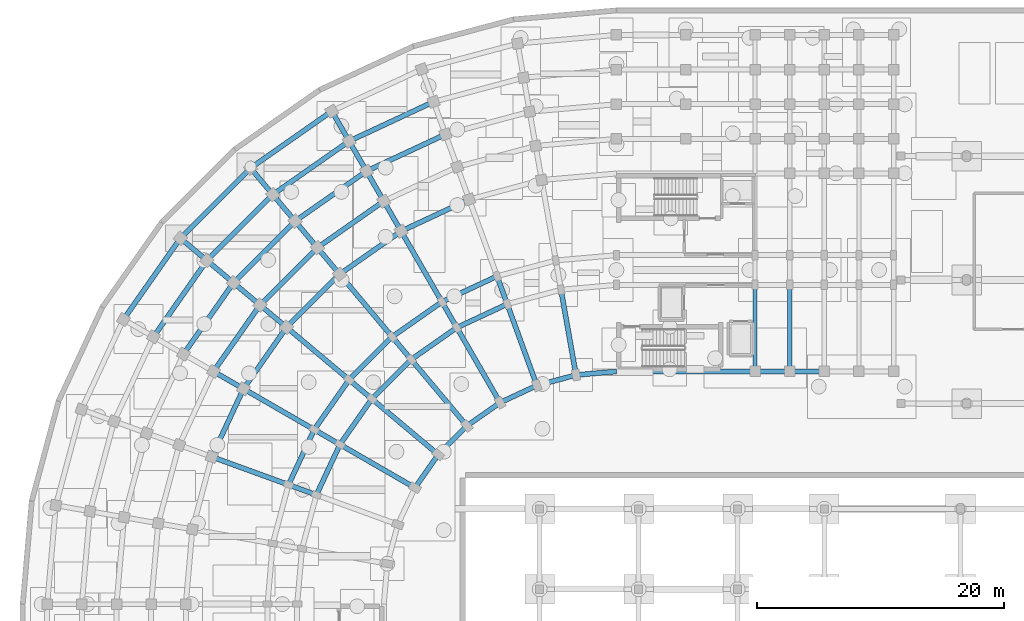
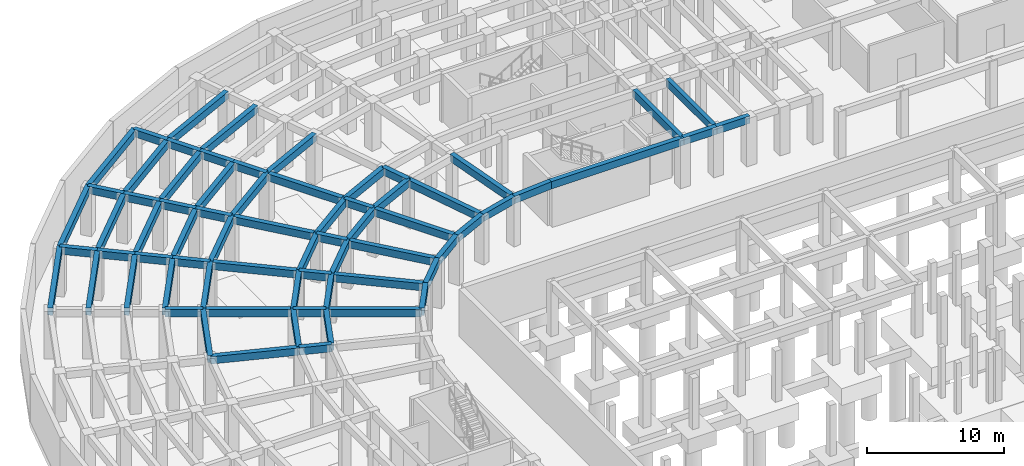
# One storey, part 23 of 53: 70 beams.
"""IFC4 building model written with IfcOpenShell, lengths in metres."""

from ifc_helpers import new_model, si_unit, direction, frame, origin, origin_2d, place, context, subcontext, project, spatial, rectangle, extrude, material, material_profile, profile_set, type_object, element, save


model = new_model("IFC4")

# Units and contexts
model_context = context("Model", 3, precision=1e-05, world=origin(), true_north=direction((0.0, 1.0)))
body_context = subcontext(model_context, "Body", "Model", "MODEL_VIEW")
ifc_project = project(units=[si_unit("LENGTHUNIT", "METRE"), si_unit("AREAUNIT", "SQUARE_METRE"), si_unit("VOLUMEUNIT", "CUBIC_METRE"), si_unit("PLANEANGLEUNIT", "RADIAN"), si_unit("MASSUNIT", "GRAM", prefix="KILO")], contexts=[model_context])

# Site, building, storey
site_placement = place(None, origin())
site = spatial("IfcSite", under=ifc_project, at=site_placement, CompositionType="ELEMENT")
building_placement = place(site_placement, origin())
building = spatial("IfcBuilding", under=site, at=building_placement, Name="Kiranvali Square Residences", CompositionType="ELEMENT")
storey_placement = place(building_placement, frame((0.0, 0.0, -4.5)))
storey = spatial("IfcBuildingStorey", under=building, at=storey_placement, Name="B1", CompositionType="ELEMENT", Elevation=-4.5)

# Beams
ifc_material_1 = material(Name="Concrete M40 (40 MPa)", Category="concrete")
ifc_material_profile_1 = material_profile(ifc_material_1, rectangle(XDim=0.35009765625, YDim=0.64990234375, at=origin_2d()), Name="RC 350x650")
ifc_profile_set_1 = profile_set([ifc_material_profile_1], Name="Concrete M40 (40 MPa)")
beam_type_1 = type_object("IfcBeamType", Name="BM-M40-350x650", PredefinedType="BEAM", material=ifc_profile_set_1)
for number, where, z_axis, x_axis, name in (
    (1, (59.39990234375, 106.60009765625, 3.955078125), (0.0, 1.0, 0.0), (-1.0, 0.0, 0.0), "B1 beam BM-A-B1-A1T1-01"),
    (2, (62.199951171875, 106.60009765625, 3.955078125), (0.0, 1.0, 0.0), (-1.0, 0.0, 0.0), "B1 beam BM-A-B1-A1T2-01"),
):
    element("IfcBeam", number, at=place(storey_placement, frame(where, z_axis=z_axis, x_axis=x_axis)), inside=storey, type_object=beam_type_1, Name=name, PredefinedType="BEAM", context=body_context, shape_type="SweptSolid", body=[
        extrude(rectangle(XDim=0.35009765625, YDim=0.64990234375, at=origin_2d()), origin(), (0.0, 0.0, 1.0), 7.0),
    ])
ifc_material_2 = material(Name="Concrete M45 (45 MPa)", Category="concrete")
ifc_material_profile_2 = material_profile(ifc_material_2, rectangle(XDim=0.39990234375, YDim=0.64990234375, at=origin_2d()), Name="RC 400x650")
ifc_profile_set_2 = profile_set([ifc_material_profile_2], Name="Concrete M45 (45 MPa)")
beam_type_2 = type_object("IfcBeamType", Name="BM-M45-400x650", PredefinedType="BEAM", material=ifc_profile_set_2)
beam_1_placement = place(storey_placement, frame((48.199951171875, 106.60009765625, 3.955078125), z_axis=(-0.996194040944, -0.087163253657, 0.0), x_axis=(0.087163253657, -0.996194040944, 0.0)))
element("IfcBeam", 3, at=beam_1_placement, inside=storey, type_object=beam_type_2, Name="B1 beam BM-A-B1-C00-R0", PredefinedType="BEAM", context=body_context, shape_type="SweptSolid", body=[
    extrude(rectangle(XDim=0.39990234375, YDim=0.64990234375, at=origin_2d()), origin(), (0.0, 0.0, 1.0), 3.277099609375),
])
beam_2_placement = place(storey_placement, frame((44.935302734375, 106.314453125, 3.955078125), z_axis=(-0.965925105099, -0.258821736607, 0.0), x_axis=(0.258821736607, -0.965925105099, 0.0)))
element("IfcBeam", 4, at=beam_2_placement, inside=storey, type_object=beam_type_2, Name="B1 beam BM-A-B1-C01-R0", PredefinedType="BEAM", context=body_context, shape_type="SweptSolid", body=[
    extrude(rectangle(XDim=0.39990234375, YDim=0.64990234375, at=origin_2d()), origin(), (0.0, 0.0, 1.0), 3.27685546875),
])
beam_3_placement = place(storey_placement, frame((41.77001953125, 105.46630859375, 3.955078125), z_axis=(-0.90629730464, -0.422640740585, 0.0), x_axis=(0.422640740585, -0.90629730464, 0.0)))
element("IfcBeam", 5, at=beam_3_placement, inside=storey, type_object=beam_type_2, Name="B1 beam BM-A-B1-C02-R0", PredefinedType="BEAM", context=body_context, shape_type="SweptSolid", body=[
    extrude(rectangle(XDim=0.39990234375, YDim=0.64990234375, at=origin_2d()), origin(), (0.0, 0.0, 1.0), 3.277099609375),
])
beam_4_placement = place(storey_placement, frame((39.3759765625, 112.044189453125, 3.955078125), z_axis=(-0.906307919131, -0.422617978463, 0.0), x_axis=(0.422617978463, -0.906307919131, 0.0)))
element("IfcBeam", 6, at=beam_4_placement, inside=storey, type_object=beam_type_2, Name="B1 beam BM-A-B1-C02-R1", PredefinedType="BEAM", context=body_context, shape_type="SweptSolid", body=[
    extrude(rectangle(XDim=0.39990234375, YDim=0.64990234375, at=origin_2d()), origin(), (0.0, 0.0, 1.0), 4.497314453125),
])
beam_5_placement = place(storey_placement, frame((38.554931640625, 114.29931640625, 3.955078125), z_axis=(-0.906302381024, -0.422629854778, 0.0), x_axis=(0.422629854778, -0.906302381024, 0.0)))
element("IfcBeam", 7, at=beam_5_placement, inside=storey, type_object=beam_type_2, Name="B1 beam BM-A-B1-C02-R2", PredefinedType="BEAM", context=body_context, shape_type="SweptSolid", body=[
    extrude(rectangle(XDim=0.39990234375, YDim=0.64990234375, at=origin_2d()), origin(), (0.0, 0.0, 1.0), 4.915283203125),
])
beam_6_placement = place(storey_placement, frame((36.297607421875, 120.501220703125, 3.955078125), z_axis=(-0.906312656069, -0.42260781991, 0.0), x_axis=(0.42260781991, -0.906312656069, 0.0)))
element("IfcBeam", 8, at=beam_6_placement, inside=storey, type_object=beam_type_2, Name="B1 beam BM-A-B1-C02-R3", PredefinedType="BEAM", context=body_context, shape_type="SweptSolid", body=[
    extrude(rectangle(XDim=0.39990234375, YDim=0.64990234375, at=origin_2d()), origin(), (0.0, 0.0, 1.0), 6.06591796875),
])
beam_7_placement = place(storey_placement, frame((34.38232421875, 125.763671875, 3.955078125), z_axis=(-0.906297360311, -0.422640621205, 0.0), x_axis=(0.422640621205, -0.906297360311, 0.0)))
element("IfcBeam", 9, at=beam_7_placement, inside=storey, type_object=beam_type_2, Name="B1 beam BM-A-B1-C02-R5", PredefinedType="BEAM", context=body_context, shape_type="SweptSolid", body=[
    extrude(rectangle(XDim=0.39990234375, YDim=0.64990234375, at=origin_2d()), origin(), (0.0, 0.0, 1.0), 7.042236328125),
])
beam_8_placement = place(storey_placement, frame((33.4248046875, 128.394775390625, 3.955078125), z_axis=(-0.90630982703, -0.422613886933, 0.0), x_axis=(0.422613886933, -0.90630982703, 0.0)))
element("IfcBeam", 10, at=beam_8_placement, inside=storey, type_object=beam_type_2, Name="B1 beam BM-A-B1-C02-R6", PredefinedType="BEAM", context=body_context, shape_type="SweptSolid", body=[
    extrude(rectangle(XDim=0.39990234375, YDim=0.64990234375, at=origin_2d()), origin(), (0.0, 0.0, 1.0), 7.5302734375),
])
beam_9_placement = place(storey_placement, frame((38.800048828125, 104.081298828125, 3.955078125), z_axis=(-0.81916891812, -0.573552337269, 0.0), x_axis=(0.573552337269, -0.81916891812, 0.0)))
element("IfcBeam", 11, at=beam_9_placement, inside=storey, type_object=beam_type_2, Name="B1 beam BM-A-B1-C03-R0", PredefinedType="BEAM", context=body_context, shape_type="SweptSolid", body=[
    extrude(rectangle(XDim=0.39990234375, YDim=0.64990234375, at=origin_2d()), origin(), (0.0, 0.0, 1.0), 3.277099609375),
])
beam_10_placement = place(storey_placement, frame((35.300048828125, 110.1435546875, 3.955078125), z_axis=(-0.819155404658, -0.573571637217, 0.0), x_axis=(0.573571637217, -0.819155404658, 0.0)))
element("IfcBeam", 12, at=beam_10_placement, inside=storey, type_object=beam_type_2, Name="B1 beam BM-A-B1-C03-R1", PredefinedType="BEAM", context=body_context, shape_type="SweptSolid", body=[
    extrude(rectangle(XDim=0.39990234375, YDim=0.64990234375, at=origin_2d()), origin(), (0.0, 0.0, 1.0), 4.497314453125),
])
beam_11_placement = place(storey_placement, frame((34.10009765625, 112.221923828125, 3.955078125), z_axis=(-0.819140911474, -0.573592335331, 0.0), x_axis=(0.573592335331, -0.819140911474, 0.0)))
element("IfcBeam", 13, at=beam_11_placement, inside=storey, type_object=beam_type_2, Name="B1 beam BM-A-B1-C03-R2", PredefinedType="BEAM", context=body_context, shape_type="SweptSolid", body=[
    extrude(rectangle(XDim=0.39990234375, YDim=0.64990234375, at=origin_2d()), origin(), (0.0, 0.0, 1.0), 4.915771484375),
])
beam_12_placement = place(storey_placement, frame((30.800048828125, 117.937744140625, 3.955078125), z_axis=(-0.81913926159, -0.573594691504, 0.0), x_axis=(0.573594691504, -0.81913926159, 0.0)))
element("IfcBeam", 14, at=beam_12_placement, inside=storey, type_object=beam_type_2, Name="B1 beam BM-A-B1-C03-R3", PredefinedType="BEAM", context=body_context, shape_type="SweptSolid", body=[
    extrude(rectangle(XDim=0.39990234375, YDim=0.64990234375, at=origin_2d()), origin(), (0.0, 0.0, 1.0), 6.066162109375),
])
beam_13_placement = place(storey_placement, frame((29.39990234375, 120.362548828125, 3.955078125), z_axis=(-0.819144409176, -0.573587340268, 0.0), x_axis=(0.573587340268, -0.819144409176, 0.0)))
element("IfcBeam", 15, at=beam_13_placement, inside=storey, type_object=beam_type_2, Name="B1 beam BM-A-B1-C03-R4", PredefinedType="BEAM", context=body_context, shape_type="SweptSolid", body=[
    extrude(rectangle(XDim=0.39990234375, YDim=0.64990234375, at=origin_2d()), origin(), (0.0, 0.0, 1.0), 6.553955078125),
])
beam_14_placement = place(storey_placement, frame((28.0, 122.787353515625, 3.955078125), z_axis=(-0.819160249246, -0.57356471828, 0.0), x_axis=(0.57356471828, -0.819160249246, 0.0)))
element("IfcBeam", 16, at=beam_14_placement, inside=storey, type_object=beam_type_2, Name="B1 beam BM-A-B1-C03-R5", PredefinedType="BEAM", context=body_context, shape_type="SweptSolid", body=[
    extrude(rectangle(XDim=0.39990234375, YDim=0.64990234375, at=origin_2d()), origin(), (0.0, 0.0, 1.0), 7.0419921875),
])
beam_15_placement = place(storey_placement, frame((26.60009765625, 125.21240234375, 3.955078125), z_axis=(-0.819143569597, -0.573588539275, 0.0), x_axis=(0.573588539275, -0.819143569597, 0.0)))
element("IfcBeam", 17, at=beam_15_placement, inside=storey, type_object=beam_type_2, Name="B1 beam BM-A-B1-C03-R6", PredefinedType="BEAM", context=body_context, shape_type="SweptSolid", body=[
    extrude(rectangle(XDim=0.39990234375, YDim=0.64990234375, at=origin_2d()), origin(), (0.0, 0.0, 1.0), 7.5302734375),
])
beam_16_placement = place(storey_placement, frame((25.199951171875, 127.63720703125, 3.955078125), z_axis=(-0.819147515001, -0.573582904791, 0.0), x_axis=(0.573582904791, -0.819147515001, 0.0)))
element("IfcBeam", 18, at=beam_16_placement, inside=storey, type_object=beam_type_2, Name="B1 beam BM-A-B1-C03-R7", PredefinedType="BEAM", context=body_context, shape_type="SweptSolid", body=[
    extrude(rectangle(XDim=0.39990234375, YDim=0.64990234375, at=origin_2d()), origin(), (0.0, 0.0, 1.0), 8.018310546875),
])
beam_17_placement = place(storey_placement, frame((36.115478515625, 102.20166015625, 3.955078125), z_axis=(-0.707106781187, -0.707106781187, 0.0), x_axis=(0.707106781187, -0.707106781187, 0.0)))
element("IfcBeam", 19, at=beam_17_placement, inside=storey, type_object=beam_type_2, Name="B1 beam BM-A-B1-C04-R0", PredefinedType="BEAM", context=body_context, shape_type="SweptSolid", body=[
    extrude(rectangle(XDim=0.39990234375, YDim=0.64990234375, at=origin_2d()), origin(), (0.0, 0.0, 1.0), 3.27685546875),
])
beam_18_placement = place(storey_placement, frame((31.615966796875, 107.56396484375, 3.955078125), z_axis=(-0.707106781187, -0.707106781187, 0.0), x_axis=(0.707106781187, -0.707106781187, 0.0)))
element("IfcBeam", 20, at=beam_18_placement, inside=storey, type_object=beam_type_2, Name="B1 beam BM-A-B1-C04-R1", PredefinedType="BEAM", context=body_context, shape_type="SweptSolid", body=[
    extrude(rectangle(XDim=0.39990234375, YDim=0.64990234375, at=origin_2d()), origin(), (0.0, 0.0, 1.0), 4.4970703125),
])
beam_19_placement = place(storey_placement, frame((30.073486328125, 109.40234375, 3.955078125), z_axis=(-0.707106781187, -0.707106781187, 0.0), x_axis=(0.707106781187, -0.707106781187, 0.0)))
element("IfcBeam", 21, at=beam_19_placement, inside=storey, type_object=beam_type_2, Name="B1 beam BM-A-B1-C04-R2", PredefinedType="BEAM", context=body_context, shape_type="SweptSolid", body=[
    extrude(rectangle(XDim=0.39990234375, YDim=0.64990234375, at=origin_2d()), origin(), (0.0, 0.0, 1.0), 4.91552734375),
])
beam_20_placement = place(storey_placement, frame((25.8310546875, 114.458251953125, 3.955078125), z_axis=(-0.707106781187, -0.707106781187, 0.0), x_axis=(0.707106781187, -0.707106781187, 0.0)))
element("IfcBeam", 22, at=beam_20_placement, inside=storey, type_object=beam_type_2, Name="B1 beam BM-A-B1-C04-R3", PredefinedType="BEAM", context=body_context, shape_type="SweptSolid", body=[
    extrude(rectangle(XDim=0.39990234375, YDim=0.64990234375, at=origin_2d()), origin(), (0.0, 0.0, 1.0), 6.06591796875),
])
beam_21_placement = place(storey_placement, frame((24.03125, 116.603271484375, 3.955078125), z_axis=(-0.707106781187, -0.707106781187, 0.0), x_axis=(0.707106781187, -0.707106781187, 0.0)))
element("IfcBeam", 23, at=beam_21_placement, inside=storey, type_object=beam_type_2, Name="B1 beam BM-A-B1-C04-R4", PredefinedType="BEAM", context=body_context, shape_type="SweptSolid", body=[
    extrude(rectangle(XDim=0.39990234375, YDim=0.64990234375, at=origin_2d()), origin(), (0.0, 0.0, 1.0), 6.55419921875),
])
beam_22_placement = place(storey_placement, frame((22.2314453125, 118.748291015625, 3.955078125), z_axis=(-0.707106781187, -0.707106781187, 0.0), x_axis=(0.707106781187, -0.707106781187, 0.0)))
element("IfcBeam", 24, at=beam_22_placement, inside=storey, type_object=beam_type_2, Name="B1 beam BM-A-B1-C04-R5", PredefinedType="BEAM", context=body_context, shape_type="SweptSolid", body=[
    extrude(rectangle(XDim=0.39990234375, YDim=0.64990234375, at=origin_2d()), origin(), (0.0, 0.0, 1.0), 7.04248046875),
])
beam_23_placement = place(storey_placement, frame((20.431640625, 120.89306640625, 3.955078125), z_axis=(-0.707106781187, -0.707106781187, 0.0), x_axis=(0.707106781187, -0.707106781187, 0.0)))
element("IfcBeam", 25, at=beam_23_placement, inside=storey, type_object=beam_type_2, Name="B1 beam BM-A-B1-C04-R6", PredefinedType="BEAM", context=body_context, shape_type="SweptSolid", body=[
    extrude(rectangle(XDim=0.39990234375, YDim=0.64990234375, at=origin_2d()), origin(), (0.0, 0.0, 1.0), 7.5302734375),
])
beam_24_placement = place(storey_placement, frame((18.6318359375, 123.0380859375, 3.955078125), z_axis=(-0.707106781187, -0.707106781187, 0.0), x_axis=(0.707106781187, -0.707106781187, 0.0)))
element("IfcBeam", 26, at=beam_24_placement, inside=storey, type_object=beam_type_2, Name="B1 beam BM-A-B1-C04-R7", PredefinedType="BEAM", context=body_context, shape_type="SweptSolid", body=[
    extrude(rectangle(XDim=0.39990234375, YDim=0.64990234375, at=origin_2d()), origin(), (0.0, 0.0, 1.0), 8.0185546875),
])
beam_25_placement = place(storey_placement, frame((33.79833984375, 99.884521484375, 3.955078125), z_axis=(-0.573552337269, -0.81916891812, 0.0), x_axis=(0.81916891812, -0.573552337269, 0.0)))
element("IfcBeam", 27, at=beam_25_placement, inside=storey, type_object=beam_type_2, Name="B1 beam BM-A-B1-C05-R0", PredefinedType="BEAM", context=body_context, shape_type="SweptSolid", body=[
    extrude(rectangle(XDim=0.39990234375, YDim=0.64990234375, at=origin_2d()), origin(), (0.0, 0.0, 1.0), 3.277099609375),
])
beam_26_placement = place(storey_placement, frame((28.43603515625, 104.384033203125, 3.955078125), z_axis=(-0.573571637217, -0.819155404658, 0.0), x_axis=(0.819155404658, -0.573571637217, 0.0)))
element("IfcBeam", 28, at=beam_26_placement, inside=storey, type_object=beam_type_2, Name="B1 beam BM-A-B1-C05-R1", PredefinedType="BEAM", context=body_context, shape_type="SweptSolid", body=[
    extrude(rectangle(XDim=0.39990234375, YDim=0.64990234375, at=origin_2d()), origin(), (0.0, 0.0, 1.0), 4.497314453125),
])
beam_27_placement = place(storey_placement, frame((26.59765625, 105.926513671875, 3.955078125), z_axis=(-0.573592335331, -0.819140911474, 0.0), x_axis=(0.819140911474, -0.573592335331, 0.0)))
element("IfcBeam", 29, at=beam_27_placement, inside=storey, type_object=beam_type_2, Name="B1 beam BM-A-B1-C05-R2", PredefinedType="BEAM", context=body_context, shape_type="SweptSolid", body=[
    extrude(rectangle(XDim=0.39990234375, YDim=0.64990234375, at=origin_2d()), origin(), (0.0, 0.0, 1.0), 4.915771484375),
])
beam_28_placement = place(storey_placement, frame((21.541748046875, 110.1689453125, 3.955078125), z_axis=(-0.573594691504, -0.81913926159, 0.0), x_axis=(0.81913926159, -0.573594691504, 0.0)))
element("IfcBeam", 30, at=beam_28_placement, inside=storey, type_object=beam_type_2, Name="B1 beam BM-A-B1-C05-R3", PredefinedType="BEAM", context=body_context, shape_type="SweptSolid", body=[
    extrude(rectangle(XDim=0.39990234375, YDim=0.64990234375, at=origin_2d()), origin(), (0.0, 0.0, 1.0), 6.066162109375),
])
beam_29_placement = place(storey_placement, frame((19.396728515625, 111.96875, 3.955078125), z_axis=(-0.573587340268, -0.819144409176, 0.0), x_axis=(0.819144409176, -0.573587340268, 0.0)))
element("IfcBeam", 31, at=beam_29_placement, inside=storey, type_object=beam_type_2, Name="B1 beam BM-A-B1-C05-R4", PredefinedType="BEAM", context=body_context, shape_type="SweptSolid", body=[
    extrude(rectangle(XDim=0.39990234375, YDim=0.64990234375, at=origin_2d()), origin(), (0.0, 0.0, 1.0), 6.553955078125),
])
beam_30_placement = place(storey_placement, frame((17.251708984375, 113.7685546875, 3.955078125), z_axis=(-0.57356471828, -0.819160249246, 0.0), x_axis=(0.819160249246, -0.57356471828, 0.0)))
element("IfcBeam", 32, at=beam_30_placement, inside=storey, type_object=beam_type_2, Name="B1 beam BM-A-B1-C05-R5", PredefinedType="BEAM", context=body_context, shape_type="SweptSolid", body=[
    extrude(rectangle(XDim=0.39990234375, YDim=0.64990234375, at=origin_2d()), origin(), (0.0, 0.0, 1.0), 7.0419921875),
])
beam_31_placement = place(storey_placement, frame((15.10693359375, 115.568359375, 3.955078125), z_axis=(-0.573588539275, -0.819143569597, 0.0), x_axis=(0.819143569597, -0.573588539275, 0.0)))
element("IfcBeam", 33, at=beam_31_placement, inside=storey, type_object=beam_type_2, Name="B1 beam BM-A-B1-C05-R6", PredefinedType="BEAM", context=body_context, shape_type="SweptSolid", body=[
    extrude(rectangle(XDim=0.39990234375, YDim=0.64990234375, at=origin_2d()), origin(), (0.0, 0.0, 1.0), 7.5302734375),
])
beam_32_placement = place(storey_placement, frame((12.9619140625, 117.3681640625, 3.955078125), z_axis=(-0.573582904791, -0.819147515001, 0.0), x_axis=(0.819147515001, -0.573582904791, 0.0)))
element("IfcBeam", 34, at=beam_32_placement, inside=storey, type_object=beam_type_2, Name="B1 beam BM-A-B1-C05-R7", PredefinedType="BEAM", context=body_context, shape_type="SweptSolid", body=[
    extrude(rectangle(XDim=0.39990234375, YDim=0.64990234375, at=origin_2d()), origin(), (0.0, 0.0, 1.0), 8.018310546875),
])
beam_33_placement = place(storey_placement, frame((25.8564453125, 100.699951171875, 3.955078125), z_axis=(-0.422617978463, -0.906307919131, 0.0), x_axis=(0.906307919131, -0.422617978463, 0.0)))
element("IfcBeam", 35, at=beam_33_placement, inside=storey, type_object=beam_type_2, Name="B1 beam BM-A-B1-C06-R1", PredefinedType="BEAM", context=body_context, shape_type="SweptSolid", body=[
    extrude(rectangle(XDim=0.39990234375, YDim=0.64990234375, at=origin_2d()), origin(), (0.0, 0.0, 1.0), 4.497314453125),
])
beam_34_placement = place(storey_placement, frame((23.778076171875, 101.89990234375, 3.955078125), z_axis=(-0.422629854778, -0.906302381024, 0.0), x_axis=(0.906302381024, -0.422629854778, 0.0)))
element("IfcBeam", 36, at=beam_34_placement, inside=storey, type_object=beam_type_2, Name="B1 beam BM-A-B1-C06-R2", PredefinedType="BEAM", context=body_context, shape_type="SweptSolid", body=[
    extrude(rectangle(XDim=0.39990234375, YDim=0.64990234375, at=origin_2d()), origin(), (0.0, 0.0, 1.0), 4.915283203125),
])
beam_35_placement = place(storey_placement, frame((18.062255859375, 105.199951171875, 3.955078125), z_axis=(-0.42260781991, -0.906312656069, 0.0), x_axis=(0.906312656069, -0.42260781991, 0.0)))
element("IfcBeam", 37, at=beam_35_placement, inside=storey, type_object=beam_type_2, Name="B1 beam BM-A-B1-C06-R3", PredefinedType="BEAM", context=body_context, shape_type="SweptSolid", body=[
    extrude(rectangle(XDim=0.39990234375, YDim=0.64990234375, at=origin_2d()), origin(), (0.0, 0.0, 1.0), 6.06591796875),
])
beam_36_placement = place(storey_placement, frame((44.935302734375, 106.314453125, 3.955078125), z_axis=(-0.173622177865, 0.984812337125, 0.0), x_axis=(-0.984812337125, -0.173622177865, 0.0)))
element("IfcBeam", 38, at=beam_36_placement, inside=storey, type_object=beam_type_2, Name="B1 beam BM-A-B1-RAD01-01", PredefinedType="BEAM", context=body_context, shape_type="SweptSolid", body=[
    extrude(rectangle(XDim=0.39990234375, YDim=0.64990234375, at=origin_2d()), origin(), (0.0, 0.0, 1.0), 6.999755859375),
])
beam_37_placement = place(storey_placement, frame((41.77001953125, 105.46630859375, 3.955078125), z_axis=(-0.342006283793, 0.939697665127, 0.0), x_axis=(-0.939697665127, -0.342006283793, 0.0)))
element("IfcBeam", 39, at=beam_37_placement, inside=storey, type_object=beam_type_2, Name="B1 beam BM-A-B1-RAD02-01", PredefinedType="BEAM", context=body_context, shape_type="SweptSolid", body=[
    extrude(rectangle(XDim=0.39990234375, YDim=0.64990234375, at=origin_2d()), origin(), (0.0, 0.0, 1.0), 7.0),
])
beam_38_placement = place(storey_placement, frame((39.3759765625, 112.044189453125, 3.955078125), z_axis=(-0.342110593602, 0.939659694648, 0.0), x_axis=(-0.939659694648, -0.342110593602, 0.0)))
element("IfcBeam", 40, at=beam_38_placement, inside=storey, type_object=beam_type_2, Name="B1 beam BM-A-B1-RAD02-12", PredefinedType="BEAM", context=body_context, shape_type="SweptSolid", body=[
    extrude(rectangle(XDim=0.39990234375, YDim=0.64990234375, at=origin_2d()), origin(), (0.0, 0.0, 1.0), 2.39990234375),
])
beam_39_placement = place(storey_placement, frame((38.800048828125, 104.081298828125, 3.955078125), z_axis=(-0.499995173006, 0.866028190633, 0.0), x_axis=(-0.866028190633, -0.499995173006, 0.0)))
element("IfcBeam", 41, at=beam_39_placement, inside=storey, type_object=beam_type_2, Name="B1 beam BM-A-B1-RAD03-01", PredefinedType="BEAM", context=body_context, shape_type="SweptSolid", body=[
    extrude(rectangle(XDim=0.39990234375, YDim=0.64990234375, at=origin_2d()), origin(), (0.0, 0.0, 1.0), 7.0),
])
beam_40_placement = place(storey_placement, frame((35.300048828125, 110.1435546875, 3.955078125), z_axis=(-0.500001309137, 0.866024647952, 0.0), x_axis=(-0.866024647952, -0.500001309137, 0.0)))
element("IfcBeam", 42, at=beam_40_placement, inside=storey, type_object=beam_type_2, Name="B1 beam BM-A-B1-RAD03-12", PredefinedType="BEAM", context=body_context, shape_type="SweptSolid", body=[
    extrude(rectangle(XDim=0.39990234375, YDim=0.64990234375, at=origin_2d()), origin(), (0.0, 0.0, 1.0), 2.39990234375),
])
beam_41_placement = place(storey_placement, frame((34.10009765625, 112.221923828125, 3.955078125), z_axis=(-0.500002094529, 0.866024194504, 0.0), x_axis=(-0.866024194504, -0.500002094529, 0.0)))
element("IfcBeam", 43, at=beam_41_placement, inside=storey, type_object=beam_type_2, Name="B1 beam BM-A-B1-RAD03-23", PredefinedType="BEAM", context=body_context, shape_type="SweptSolid", body=[
    extrude(rectangle(XDim=0.39990234375, YDim=0.64990234375, at=origin_2d()), origin(), (0.0, 0.0, 1.0), 6.60009765625),
])
beam_42_placement = place(storey_placement, frame((30.800048828125, 117.937744140625, 3.955078125), z_axis=(-0.500049511043, 0.865996816683, 0.0), x_axis=(-0.865996816683, -0.500049511043, 0.0)))
element("IfcBeam", 44, at=beam_42_placement, inside=storey, type_object=beam_type_2, Name="B1 beam BM-A-B1-RAD03-34", PredefinedType="BEAM", context=body_context, shape_type="SweptSolid", body=[
    extrude(rectangle(XDim=0.39990234375, YDim=0.64990234375, at=origin_2d()), origin(), (0.0, 0.0, 1.0), 2.800048828125),
])
beam_43_placement = place(storey_placement, frame((29.39990234375, 120.362548828125, 3.955078125), z_axis=(-0.49998411664, 0.866034573852, 0.0), x_axis=(-0.866034573852, -0.49998411664, 0.0)))
element("IfcBeam", 45, at=beam_43_placement, inside=storey, type_object=beam_type_2, Name="B1 beam BM-A-B1-RAD03-45", PredefinedType="BEAM", context=body_context, shape_type="SweptSolid", body=[
    extrude(rectangle(XDim=0.39990234375, YDim=0.64990234375, at=origin_2d()), origin(), (0.0, 0.0, 1.0), 2.7998046875),
])
for number, where, z_axis, x_axis, name in (
    (46, (28.0, 122.787353515625, 3.955078125), (-0.49994636267, 0.866056369097, 0.0), (-0.866056369097, -0.49994636267, 0.0), "B1 beam BM-A-B1-RAD03-56"),
    (47, (26.60009765625, 125.21240234375, 3.955078125), (-0.500049511043, 0.865996816683, 0.0), (-0.865996816683, -0.500049511043, 0.0), "B1 beam BM-A-B1-RAD03-67"),
):
    element("IfcBeam", number, at=place(storey_placement, frame(where, z_axis=z_axis, x_axis=x_axis)), inside=storey, type_object=beam_type_2, Name=name, PredefinedType="BEAM", context=body_context, shape_type="SweptSolid", body=[
        extrude(rectangle(XDim=0.39990234375, YDim=0.64990234375, at=origin_2d()), origin(), (0.0, 0.0, 1.0), 2.800048828125),
    ])
beam_44_placement = place(storey_placement, frame((36.115478515625, 102.20166015625, 3.955078125), z_axis=(-0.642787931032, 0.766044173478, 0.0), x_axis=(-0.766044173478, -0.642787931032, 0.0)))
element("IfcBeam", 48, at=beam_44_placement, inside=storey, type_object=beam_type_2, Name="B1 beam BM-A-B1-RAD04-01", PredefinedType="BEAM", context=body_context, shape_type="SweptSolid", body=[
    extrude(rectangle(XDim=0.39990234375, YDim=0.64990234375, at=origin_2d()), origin(), (0.0, 0.0, 1.0), 7.0),
])
beam_45_placement = place(storey_placement, frame((31.615966796875, 107.56396484375, 3.955078125), z_axis=(-0.642762521781, 0.766065493671, 0.0), x_axis=(-0.766065493671, -0.642762521781, 0.0)))
element("IfcBeam", 49, at=beam_45_placement, inside=storey, type_object=beam_type_2, Name="B1 beam BM-A-B1-RAD04-12", PredefinedType="BEAM", context=body_context, shape_type="SweptSolid", body=[
    extrude(rectangle(XDim=0.39990234375, YDim=0.64990234375, at=origin_2d()), origin(), (0.0, 0.0, 1.0), 2.399658203125),
])
beam_46_placement = place(storey_placement, frame((30.073486328125, 109.40234375, 3.955078125), z_axis=(-0.642789470807, 0.766042881449, 0.0), x_axis=(-0.766042881449, -0.642789470807, 0.0)))
element("IfcBeam", 50, at=beam_46_placement, inside=storey, type_object=beam_type_2, Name="B1 beam BM-A-B1-RAD04-23", PredefinedType="BEAM", context=body_context, shape_type="SweptSolid", body=[
    extrude(rectangle(XDim=0.39990234375, YDim=0.64990234375, at=origin_2d()), origin(), (0.0, 0.0, 1.0), 6.60009765625),
])
for number, where, z_axis, x_axis, name in (
    (51, (25.8310546875, 114.458251953125, 3.955078125), (-0.642770757628, 0.766058583359, 0.0), (-0.766058583359, -0.642770757628, 0.0), "B1 beam BM-A-B1-RAD04-34"),
    (52, (24.03125, 116.603271484375, 3.955078125), (-0.642770757628, 0.766058583359, 0.0), (-0.766058583359, -0.642770757628, 0.0), "B1 beam BM-A-B1-RAD04-45"),
):
    element("IfcBeam", number, at=place(storey_placement, frame(where, z_axis=z_axis, x_axis=x_axis)), inside=storey, type_object=beam_type_2, Name=name, PredefinedType="BEAM", context=body_context, shape_type="SweptSolid", body=[
        extrude(rectangle(XDim=0.39990234375, YDim=0.64990234375, at=origin_2d()), origin(), (0.0, 0.0, 1.0), 2.800048828125),
    ])
beam_47_placement = place(storey_placement, frame((22.2314453125, 118.748291015625, 3.955078125), z_axis=(-0.642813692253, 0.76602255649, 0.0), x_axis=(-0.76602255649, -0.642813692253, 0.0)))
element("IfcBeam", 53, at=beam_47_placement, inside=storey, type_object=beam_type_2, Name="B1 beam BM-A-B1-RAD04-56", PredefinedType="BEAM", context=body_context, shape_type="SweptSolid", body=[
    extrude(rectangle(XDim=0.39990234375, YDim=0.64990234375, at=origin_2d()), origin(), (0.0, 0.0, 1.0), 2.7998046875),
])
beam_48_placement = place(storey_placement, frame((20.431640625, 120.89306640625, 3.955078125), z_axis=(-0.642770757628, 0.766058583359, 0.0), x_axis=(-0.766058583359, -0.642770757628, 0.0)))
element("IfcBeam", 54, at=beam_48_placement, inside=storey, type_object=beam_type_2, Name="B1 beam BM-A-B1-RAD04-67", PredefinedType="BEAM", context=body_context, shape_type="SweptSolid", body=[
    extrude(rectangle(XDim=0.39990234375, YDim=0.64990234375, at=origin_2d()), origin(), (0.0, 0.0, 1.0), 2.800048828125),
])
beam_49_placement = place(storey_placement, frame((33.79833984375, 99.884521484375, 3.955078125), z_axis=(-0.766044173478, 0.642787931032, 0.0), x_axis=(-0.642787931032, -0.766044173478, 0.0)))
element("IfcBeam", 55, at=beam_49_placement, inside=storey, type_object=beam_type_2, Name="B1 beam BM-A-B1-RAD05-01", PredefinedType="BEAM", context=body_context, shape_type="SweptSolid", body=[
    extrude(rectangle(XDim=0.39990234375, YDim=0.64990234375, at=origin_2d()), origin(), (0.0, 0.0, 1.0), 7.0),
])
beam_50_placement = place(storey_placement, frame((28.43603515625, 104.384033203125, 3.955078125), z_axis=(-0.766065493671, 0.642762521781, 0.0), x_axis=(-0.642762521781, -0.766065493671, 0.0)))
element("IfcBeam", 56, at=beam_50_placement, inside=storey, type_object=beam_type_2, Name="B1 beam BM-A-B1-RAD05-12", PredefinedType="BEAM", context=body_context, shape_type="SweptSolid", body=[
    extrude(rectangle(XDim=0.39990234375, YDim=0.64990234375, at=origin_2d()), origin(), (0.0, 0.0, 1.0), 2.399658203125),
])
beam_51_placement = place(storey_placement, frame((26.59765625, 105.926513671875, 3.955078125), z_axis=(-0.766042881449, 0.642789470807, 0.0), x_axis=(-0.642789470807, -0.766042881449, 0.0)))
element("IfcBeam", 57, at=beam_51_placement, inside=storey, type_object=beam_type_2, Name="B1 beam BM-A-B1-RAD05-23", PredefinedType="BEAM", context=body_context, shape_type="SweptSolid", body=[
    extrude(rectangle(XDim=0.39990234375, YDim=0.64990234375, at=origin_2d()), origin(), (0.0, 0.0, 1.0), 6.60009765625),
])
for number, where, z_axis, x_axis, name in (
    (58, (21.541748046875, 110.1689453125, 3.955078125), (-0.766058583359, 0.642770757628, 0.0), (-0.642770757628, -0.766058583359, 0.0), "B1 beam BM-A-B1-RAD05-34"),
    (59, (19.396728515625, 111.96875, 3.955078125), (-0.766058583359, 0.642770757628, 0.0), (-0.642770757628, -0.766058583359, 0.0), "B1 beam BM-A-B1-RAD05-45"),
):
    element("IfcBeam", number, at=place(storey_placement, frame(where, z_axis=z_axis, x_axis=x_axis)), inside=storey, type_object=beam_type_2, Name=name, PredefinedType="BEAM", context=body_context, shape_type="SweptSolid", body=[
        extrude(rectangle(XDim=0.39990234375, YDim=0.64990234375, at=origin_2d()), origin(), (0.0, 0.0, 1.0), 2.800048828125),
    ])
beam_52_placement = place(storey_placement, frame((17.251708984375, 113.7685546875, 3.955078125), z_axis=(-0.76602255649, 0.642813692253, 0.0), x_axis=(-0.642813692253, -0.76602255649, 0.0)))
element("IfcBeam", 60, at=beam_52_placement, inside=storey, type_object=beam_type_2, Name="B1 beam BM-A-B1-RAD05-56", PredefinedType="BEAM", context=body_context, shape_type="SweptSolid", body=[
    extrude(rectangle(XDim=0.39990234375, YDim=0.64990234375, at=origin_2d()), origin(), (0.0, 0.0, 1.0), 2.7998046875),
])
beam_53_placement = place(storey_placement, frame((15.10693359375, 115.568359375, 3.955078125), z_axis=(-0.766058583359, 0.642770757628, 0.0), x_axis=(-0.642770757628, -0.766058583359, 0.0)))
element("IfcBeam", 61, at=beam_53_placement, inside=storey, type_object=beam_type_2, Name="B1 beam BM-A-B1-RAD05-67", PredefinedType="BEAM", context=body_context, shape_type="SweptSolid", body=[
    extrude(rectangle(XDim=0.39990234375, YDim=0.64990234375, at=origin_2d()), origin(), (0.0, 0.0, 1.0), 2.800048828125),
])
beam_54_placement = place(storey_placement, frame((31.918701171875, 97.199951171875, 3.955078125), z_axis=(-0.866028190633, 0.499995173006, 0.0), x_axis=(-0.499995173006, -0.866028190633, 0.0)))
element("IfcBeam", 62, at=beam_54_placement, inside=storey, type_object=beam_type_2, Name="B1 beam BM-A-B1-RAD06-01", PredefinedType="BEAM", context=body_context, shape_type="SweptSolid", body=[
    extrude(rectangle(XDim=0.39990234375, YDim=0.64990234375, at=origin_2d()), origin(), (0.0, 0.0, 1.0), 7.0),
])
beam_55_placement = place(storey_placement, frame((25.8564453125, 100.699951171875, 3.955078125), z_axis=(-0.866024647952, 0.500001309137, 0.0), x_axis=(-0.500001309137, -0.866024647952, 0.0)))
element("IfcBeam", 63, at=beam_55_placement, inside=storey, type_object=beam_type_2, Name="B1 beam BM-A-B1-RAD06-12", PredefinedType="BEAM", context=body_context, shape_type="SweptSolid", body=[
    extrude(rectangle(XDim=0.39990234375, YDim=0.64990234375, at=origin_2d()), origin(), (0.0, 0.0, 1.0), 2.39990234375),
])
beam_56_placement = place(storey_placement, frame((23.778076171875, 101.89990234375, 3.955078125), z_axis=(-0.866024194504, 0.500002094529, 0.0), x_axis=(-0.500002094529, -0.866024194504, 0.0)))
element("IfcBeam", 64, at=beam_56_placement, inside=storey, type_object=beam_type_2, Name="B1 beam BM-A-B1-RAD06-23", PredefinedType="BEAM", context=body_context, shape_type="SweptSolid", body=[
    extrude(rectangle(XDim=0.39990234375, YDim=0.64990234375, at=origin_2d()), origin(), (0.0, 0.0, 1.0), 6.60009765625),
])
beam_57_placement = place(storey_placement, frame((18.062255859375, 105.199951171875, 3.955078125), z_axis=(-0.865996816683, 0.500049511043, 0.0), x_axis=(-0.500049511043, -0.865996816683, 0.0)))
element("IfcBeam", 65, at=beam_57_placement, inside=storey, type_object=beam_type_2, Name="B1 beam BM-A-B1-RAD06-34", PredefinedType="BEAM", context=body_context, shape_type="SweptSolid", body=[
    extrude(rectangle(XDim=0.39990234375, YDim=0.64990234375, at=origin_2d()), origin(), (0.0, 0.0, 1.0), 2.800048828125),
])
beam_58_placement = place(storey_placement, frame((23.955810546875, 96.6240234375, 3.955078125), z_axis=(-0.939659694648, 0.342110593602, 0.0), x_axis=(-0.342110593602, -0.939659694648, 0.0)))
element("IfcBeam", 66, at=beam_58_placement, inside=storey, type_object=beam_type_2, Name="B1 beam BM-A-B1-RAD07-12", PredefinedType="BEAM", context=body_context, shape_type="SweptSolid", body=[
    extrude(rectangle(XDim=0.39990234375, YDim=0.64990234375, at=origin_2d()), origin(), (0.0, 0.0, 1.0), 2.39990234375),
])
beam_59_placement = place(storey_placement, frame((21.70068359375, 97.445068359375, 3.955078125), z_axis=(-0.939691858249, 0.342022238372, 0.0), x_axis=(-0.342022238372, -0.939691858249, 0.0)))
element("IfcBeam", 67, at=beam_59_placement, inside=storey, type_object=beam_type_2, Name="B1 beam BM-A-B1-RAD07-23", PredefinedType="BEAM", context=body_context, shape_type="SweptSolid", body=[
    extrude(rectangle(XDim=0.39990234375, YDim=0.64990234375, at=origin_2d()), origin(), (0.0, 0.0, 1.0), 6.599853515625),
])
beam_60_placement = place(storey_placement, frame((48.199951171875, 106.60009765625, 3.955078125), z_axis=(1.0, 0.0, 0.0), x_axis=(0.0, 1.0, 0.0)))
element("IfcBeam", 68, at=beam_60_placement, inside=storey, type_object=beam_type_2, Name="B1 beam BM-A-B1-A1U0-R0", PredefinedType="BEAM", context=body_context, shape_type="SweptSolid", body=[
    extrude(rectangle(XDim=0.39990234375, YDim=0.64990234375, at=origin_2d()), origin(), (0.0, 0.0, 1.0), 11.199951171875),
])
for number, where, z_axis, x_axis, name in (
    (69, (59.39990234375, 106.60009765625, 3.955078125), (1.0, 0.0, 0.0), (0.0, 1.0, 0.0), "B1 beam BM-A-B1-A1U1-R0"),
    (70, (62.199951171875, 106.60009765625, 3.955078125), (1.0, 0.0, 0.0), (0.0, 1.0, 0.0), "B1 beam BM-A-B1-A1U2-R0"),
):
    element("IfcBeam", number, at=place(storey_placement, frame(where, z_axis=z_axis, x_axis=x_axis)), inside=storey, type_object=beam_type_2, Name=name, PredefinedType="BEAM", context=body_context, shape_type="SweptSolid", body=[
        extrude(rectangle(XDim=0.39990234375, YDim=0.64990234375, at=origin_2d()), origin(), (0.0, 0.0, 1.0), 2.800048828125),
    ])

save(model, "model.ifc")
